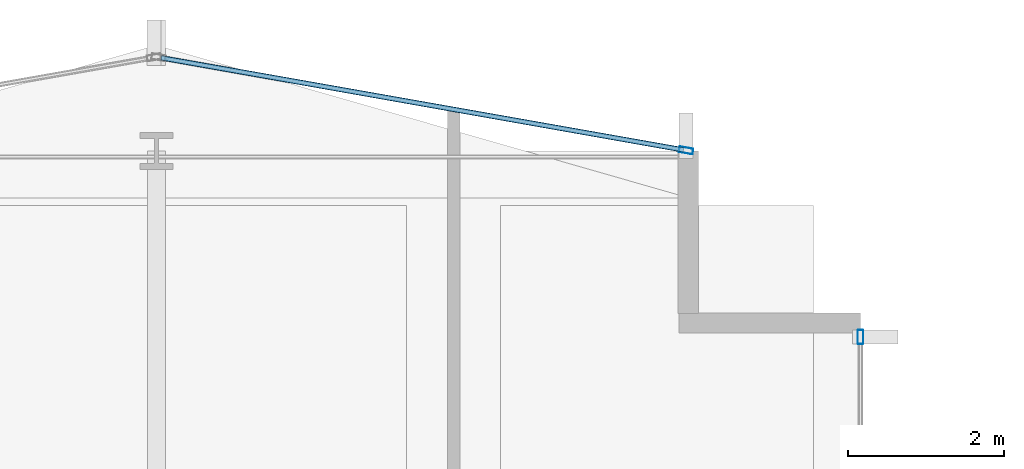
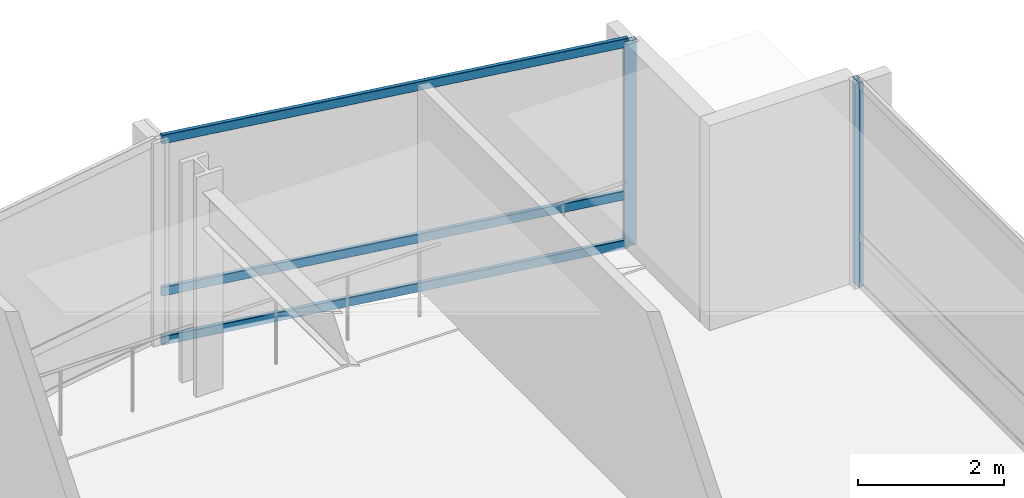
# One storey, part 24 of 34: 5 members, 2 elements without a shape of their own.
"""IFC4 building model written with IfcOpenShell, lengths in metres."""

from ifc_helpers import new_model, si_unit, direction, frame, origin, origin_2d, place, context, subcontext, project, spatial, hollow_rectangle, extrude, material, layer, layer_set, material_profile, profile_set, type_object, element, aggregate, save


model = new_model("IFC4")

# Units and contexts
model_context = context("Model", 3, precision=1e-05, world=origin(), true_north=direction((0.0, 1.0)))
body_context = subcontext(model_context, "Body", "Model", "MODEL_VIEW")
ifc_project = project(units=[si_unit("LENGTHUNIT", "METRE"), si_unit("AREAUNIT", "SQUARE_METRE"), si_unit("VOLUMEUNIT", "CUBIC_METRE"), si_unit("PLANEANGLEUNIT", "RADIAN"), si_unit("MASSUNIT", "GRAM", prefix="KILO")], contexts=[model_context])

# Site, building, storey
site_placement = place(None, origin())
site = spatial("IfcSite", under=ifc_project, at=site_placement, CompositionType="ELEMENT")
building_placement = place(site_placement, origin())
building = spatial("IfcBuilding", under=site, at=building_placement, Name="Solvaryn Broadcast Tower", CompositionType="ELEMENT")
storey_placement = place(building_placement, frame((0.0, 0.0, 73.0)))
storey = spatial("IfcBuildingStorey", under=building, at=storey_placement, Name="L17", CompositionType="ELEMENT", Elevation=73.0)

# Curtain wall, member
ifc_material_1 = material(Name="Aluminium and Terracotta Unitised Curtain Wall", Category="masonry")
ifc_layer = layer(ifc_material_1, 0.199951171875)
ifc_layer_set = layer_set([ifc_layer], Name="CW-SYS2-LOWMID")
curtain_wall_type = type_object("IfcCurtainWallType", Name="CW-SYS2-LOWMID", PredefinedType="NOTDEFINED", material=ifc_layer_set)
curtain_wall_1_placement = place(storey_placement, origin())
curtain_wall_1 = element("IfcCurtainWall", 1, at=curtain_wall_1_placement, inside=storey, type_object=curtain_wall_type, Name="L17 Curtain Wall IV", PredefinedType="NOTDEFINED")
ifc_material_2 = material(Name="Anodised Aluminium 6063-T6", Category="aluminium")
ifc_material_profile_1 = material_profile(ifc_material_2, hollow_rectangle(XDim=0.074951171875, YDim=0.179931640625, WallThickness=0.00390625, InnerFilletRadius=0.00390625, OuterFilletRadius=0.008056640625, at=origin_2d()))
ifc_profile_set_1 = profile_set([ifc_material_profile_1], Name="Anodised Aluminium 6063-T6")
member_type_1 = type_object("IfcMemberType", Name="CW-MUL-180", PredefinedType="MULLION", material=ifc_profile_set_1)
member_1_placement = place(storey_placement, frame((27.0, 51.6201171875, 0.0), z_axis=(0.0, 0.0, 1.0), x_axis=(1.0, 0.0, 0.0)))
member_1 = element("IfcMember", 2, at=member_1_placement, type_object=member_type_1, Name="CWS2 mullion 1", PredefinedType="MULLION", context=body_context, shape_type="SweptSolid", body=[
    extrude(hollow_rectangle(XDim=0.074951171875, YDim=0.179931640625, WallThickness=0.00390625, InnerFilletRadius=0.00390625, OuterFilletRadius=0.008056640625, at=origin_2d()), origin(), (0.0, 0.0, 1.0), 3.419921875),
])
aggregate(curtain_wall_1, [member_1])

# Curtain wall, members
curtain_wall_2_placement = place(storey_placement, origin())
curtain_wall_2 = element("IfcCurtainWall", 3, at=curtain_wall_2_placement, inside=storey, type_object=curtain_wall_type, Name="L17 Curtain Wall NT1", PredefinedType="NOTDEFINED")
member_2_placement = place(storey_placement, frame((24.7705078125, 54.005126953125, 0.0), z_axis=(0.0, 0.0, 1.0), x_axis=(-0.173785333901, -0.984783558819, 0.0)))
member_2 = element("IfcMember", 4, at=member_2_placement, type_object=member_type_1, Name="CWS2 mullion 1", PredefinedType="MULLION", context=body_context, shape_type="SweptSolid", body=[
    extrude(hollow_rectangle(XDim=0.074951171875, YDim=0.179931640625, WallThickness=0.00390625, InnerFilletRadius=0.00390625, OuterFilletRadius=0.008056640625, at=origin_2d()), origin(), (0.0, 0.0, 1.0), 3.419921875),
])
ifc_material_3 = material(Name="Anodised Aluminium 6063-T6", Category="aluminium")
ifc_material_profile_2 = material_profile(ifc_material_3, hollow_rectangle(XDim=0.06494140625, YDim=0.14990234375, WallThickness=0.00390625, InnerFilletRadius=0.00390625, OuterFilletRadius=0.008056640625, at=origin_2d()))
ifc_profile_set_2 = profile_set([ifc_material_profile_2], Name="Anodised Aluminium 6063-T6")
member_type_2 = type_object("IfcMemberType", Name="CW-TRN-150", PredefinedType="USERDEFINED", material=ifc_profile_set_2)
member_3_placement = place(storey_placement, frame((24.740966796875, 54.010498046875, 0.030029296875), z_axis=(-0.984788629673, 0.173756596613, 0.0), x_axis=(-0.173756596613, -0.984788629673, 0.0)))
member_3 = element("IfcMember", 5, at=member_3_placement, type_object=member_type_2, Name="CWS2 transom 1.1", ObjectType="TRANSOM", PredefinedType="USERDEFINED", context=body_context, shape_type="SweptSolid", body=[
    extrude(hollow_rectangle(XDim=0.06494140625, YDim=0.14990234375, WallThickness=0.00390625, InnerFilletRadius=0.00390625, OuterFilletRadius=0.008056640625, at=origin_2d()), origin(), (0.0, 0.0, 1.0), 6.78515625),
])
member_4_placement = place(storey_placement, frame((24.740966796875, 54.010498046875, 0.85009765625), z_axis=(-0.984788629673, 0.173756596613, 0.0), x_axis=(-0.173756596613, -0.984788629673, 0.0)))
member_4 = element("IfcMember", 6, at=member_4_placement, type_object=member_type_2, Name="CWS2 transom 1.2", ObjectType="TRANSOM", PredefinedType="USERDEFINED", context=body_context, shape_type="SweptSolid", body=[
    extrude(hollow_rectangle(XDim=0.06494140625, YDim=0.14990234375, WallThickness=0.00390625, InnerFilletRadius=0.00390625, OuterFilletRadius=0.008056640625, at=origin_2d()), origin(), (0.0, 0.0, 1.0), 6.78515625),
])
member_5_placement = place(storey_placement, frame((24.740966796875, 54.010498046875, 3.389892578125), z_axis=(-0.984788629673, 0.173756596613, 0.0), x_axis=(-0.173756596613, -0.984788629673, 0.0)))
member_5 = element("IfcMember", 7, at=member_5_placement, type_object=member_type_2, Name="CWS2 transom 1.3", ObjectType="TRANSOM", PredefinedType="USERDEFINED", context=body_context, shape_type="SweptSolid", body=[
    extrude(hollow_rectangle(XDim=0.06494140625, YDim=0.14990234375, WallThickness=0.00390625, InnerFilletRadius=0.00390625, OuterFilletRadius=0.008056640625, at=origin_2d()), origin(), (0.0, 0.0, 1.0), 6.78515625),
])
aggregate(curtain_wall_2, [member_2, member_3, member_4, member_5])

save(model, "model.ifc")
